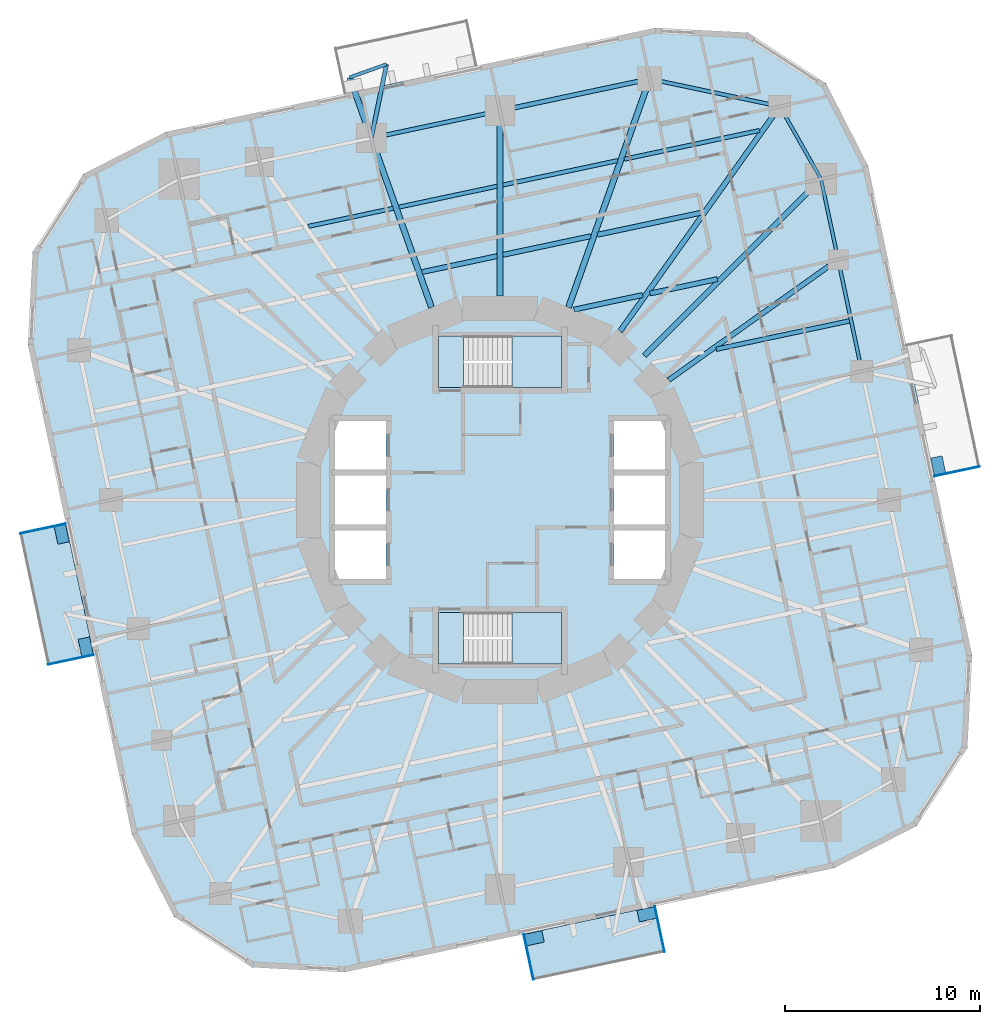
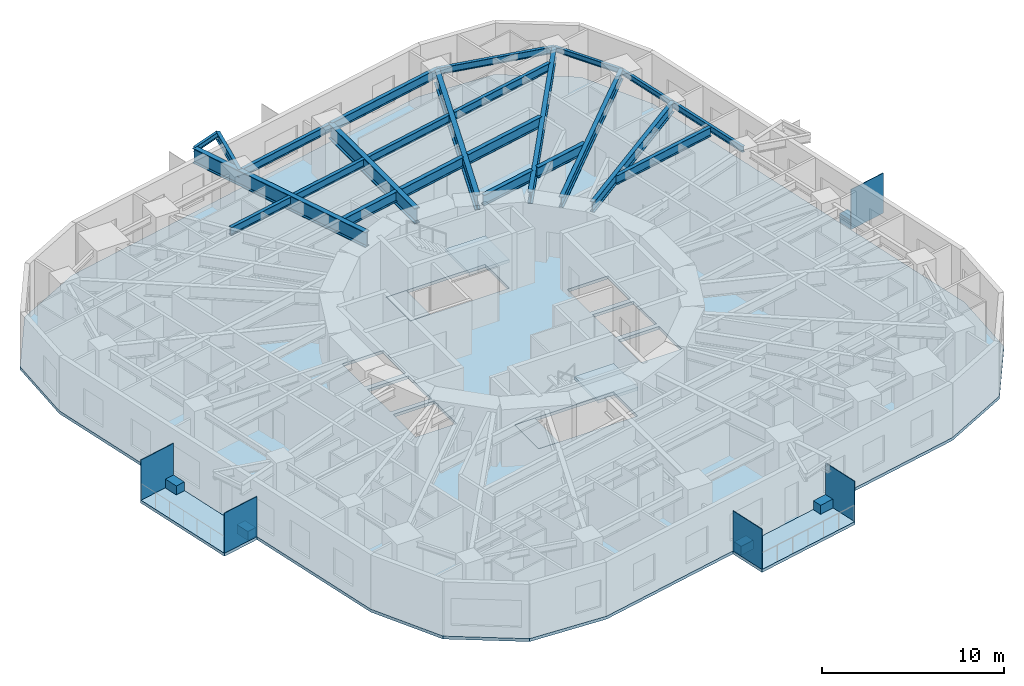
# One storey, part 3 of 14: 24 beams, 10 plates, 7 slabs, 2 elements without a shape of their own.
"""IFC4 building model written with IfcOpenShell, lengths in metres."""

from ifc_helpers import new_model, si_unit, direction, frame, origin, origin_2d, place, context, subcontext, project, spatial, polyline, rectangle, i_section, outline, extrude, material, layer, layer_set, material_profile, profile_set, type_object, element, aggregate, save


model = new_model("IFC4")

# Units and contexts
model_context = context("Model", 3, precision=1e-05, world=origin(), true_north=direction((0.0, 1.0)))
body_context = subcontext(model_context, "Body", "Model", "MODEL_VIEW")
ifc_project = project(units=[si_unit("LENGTHUNIT", "METRE"), si_unit("AREAUNIT", "SQUARE_METRE"), si_unit("VOLUMEUNIT", "CUBIC_METRE"), si_unit("PLANEANGLEUNIT", "RADIAN"), si_unit("MASSUNIT", "GRAM", prefix="KILO")], contexts=[model_context])

# Site, building, storey
site_placement = place(None, origin())
site = spatial("IfcSite", under=ifc_project, at=site_placement, CompositionType="ELEMENT")
building_placement = place(site_placement, origin())
building = spatial("IfcBuilding", under=site, at=building_placement, Name="Nakasero Lantern House", CompositionType="ELEMENT")
storey_placement = place(building_placement, frame((0.0, 0.0, 124.25)))
storey = spatial("IfcBuildingStorey", under=building, at=storey_placement, Name="L30", CompositionType="ELEMENT", Elevation=124.25)

# Beams
ifc_material_1 = material(Name="Steel S355", Category="steel")
ifc_material_profile_1 = material_profile(ifc_material_1, i_section(OverallWidth=0.2138671875, OverallDepth=0.549072265625, WebThickness=0.0146484375, FlangeThickness=0.023681640625, FilletRadius=0.0126953125, at=origin_2d()), Name="UB 533x210x138")
ifc_profile_set_1 = profile_set([ifc_material_profile_1], Name="Steel S355")
beam_type_1 = type_object("IfcBeamType", Name="Balcony splay beam UB 533x210x138", PredefinedType="BEAM", material=ifc_profile_set_1)
beam_1_placement = place(storey_placement, frame((-6.590087890625, 18.534912109375, 3.37548828125), z_axis=(0.201831438605, 0.979420272605, 0.0), x_axis=(-0.979420272605, 0.201831438605, 0.0)))
element("IfcBeam", 1, at=beam_1_placement, inside=storey, type_object=beam_type_1, Name="Balcony splay beam L31 B3-C10A", PredefinedType="BEAM", context=body_context, shape_type="SweptSolid", body=[
    extrude(i_section(OverallWidth=0.2138671875, OverallDepth=0.549072265625, WebThickness=0.0146484375, FlangeThickness=0.023681640625, FilletRadius=0.0126953125, at=origin_2d()), origin(), (0.0, 0.0, 1.0), 3.858642578125),
])
ifc_material_2 = material(Name="Steel S355", Category="steel")
ifc_material_profile_2 = material_profile(ifc_material_2, i_section(OverallWidth=0.17138671875, OverallDepth=0.35498046875, WebThickness=0.00732421875, FlangeThickness=0.011474609375, FilletRadius=0.01025390625, at=origin_2d()), Name="UB 356x171x51")
ifc_profile_set_2 = profile_set([ifc_material_profile_2], Name="Steel S355")
beam_type_2 = type_object("IfcBeamType", Name="Balcony tie beam UB 356x171x51", PredefinedType="BEAM", material=ifc_profile_set_2)
beam_2_placement = place(storey_placement, frame((-5.811279296875, 22.314208984375, 3.472412109375), z_axis=(-0.942196708721, -0.335060236487, 0.0), x_axis=(0.335060236487, -0.942196708721, 0.0)))
element("IfcBeam", 2, at=beam_2_placement, inside=storey, type_object=beam_type_2, Name="Balcony tie beam L31 B3-C10", PredefinedType="BEAM", context=body_context, shape_type="SweptSolid", body=[
    extrude(i_section(OverallWidth=0.17138671875, OverallDepth=0.35498046875, WebThickness=0.00732421875, FlangeThickness=0.011474609375, FilletRadius=0.01025390625, at=origin_2d()), origin(), (0.0, 0.0, 1.0), 2.000244140625),
])
ifc_material_3 = material(Name="Steel S355", Category="steel")
ifc_material_profile_3 = material_profile(ifc_material_3, i_section(OverallWidth=0.2099609375, OverallDepth=0.53662109375, WebThickness=0.0107421875, FlangeThickness=0.017333984375, FilletRadius=0.0126953125, at=origin_2d()), Name="UB 533x210x101")
ifc_profile_set_3 = profile_set([ifc_material_profile_3], Name="Steel S355")
beam_type_3 = type_object("IfcBeamType", Name="Infill beam UB 533x210x101", PredefinedType="JOIST", material=ifc_profile_set_3)
beam_3_placement = place(storey_placement, frame((-9.810302734375, 14.0166015625, 3.381591796875), z_axis=(0.978149057111, 0.207904838982, 0.0), x_axis=(-0.207904838982, 0.978149057111, 0.0)))
element("IfcBeam", 3, at=beam_3_placement, inside=storey, type_object=beam_type_3, Name="Infill beam L31 12.4", PredefinedType="JOIST", context=body_context, shape_type="SweptSolid", body=[
    extrude(i_section(OverallWidth=0.2099609375, OverallDepth=0.53662109375, WebThickness=0.0107421875, FlangeThickness=0.017333984375, FilletRadius=0.0126953125, at=origin_2d()), origin(), (0.0, 0.0, 1.0), 4.435302734375),
])
beam_4_placement = place(storey_placement, frame((-5.173828125, 15.002197265625, 3.381591796875), z_axis=(0.978153894908, 0.207882076853, 0.0), x_axis=(-0.207882076853, 0.978153894908, 0.0)))
element("IfcBeam", 4, at=beam_4_placement, inside=storey, type_object=beam_type_3, Name="Infill beam L31 12.5", PredefinedType="JOIST", context=body_context, shape_type="SweptSolid", body=[
    extrude(i_section(OverallWidth=0.2099609375, OverallDepth=0.53662109375, WebThickness=0.0107421875, FlangeThickness=0.017333984375, FilletRadius=0.0126953125, at=origin_2d()), origin(), (0.0, 0.0, 1.0), 5.13330078125),
])
beam_5_placement = place(storey_placement, frame((0.152587890625, 16.13427734375, 3.381591796875), z_axis=(0.978149438519, 0.207903044531, 0.0), x_axis=(-0.207903044531, 0.978149438519, 0.0)))
element("IfcBeam", 5, at=beam_5_placement, inside=storey, type_object=beam_type_3, Name="Infill beam L31 12.6", PredefinedType="JOIST", context=body_context, shape_type="SweptSolid", body=[
    extrude(i_section(OverallWidth=0.2099609375, OverallDepth=0.53662109375, WebThickness=0.0107421875, FlangeThickness=0.017333984375, FilletRadius=0.0126953125, at=origin_2d()), origin(), (0.0, 0.0, 1.0), 5.99951171875),
])
beam_6_placement = place(storey_placement, frame((6.365478515625, 17.454833984375, 3.381591796875), z_axis=(0.978149480204, 0.207902848411, 0.0), x_axis=(-0.207902848411, 0.978149480204, 0.0)))
element("IfcBeam", 6, at=beam_6_placement, inside=storey, type_object=beam_type_3, Name="Infill beam L31 12.7", PredefinedType="JOIST", context=body_context, shape_type="SweptSolid", body=[
    extrude(i_section(OverallWidth=0.2099609375, OverallDepth=0.53662109375, WebThickness=0.0107421875, FlangeThickness=0.017333984375, FilletRadius=0.0126953125, at=origin_2d()), origin(), (0.0, 0.0, 1.0), 7.085693359375),
])
ifc_material_4 = material(Name="Steel S355", Category="steel")
ifc_material_profile_4 = material_profile(ifc_material_4, i_section(OverallWidth=0.2275390625, OverallDepth=0.6025390625, WebThickness=0.010498046875, FlangeThickness=0.014892578125, FilletRadius=0.0126953125, at=origin_2d()), Name="UB 610x229x101")
ifc_profile_set_4 = profile_set([ifc_material_profile_4], Name="Steel S355")
beam_type_4 = type_object("IfcBeamType", Name="Infill beam UB 610x229x101", PredefinedType="JOIST", material=ifc_profile_set_4)
beam_7_placement = place(storey_placement, frame((11.077880859375, 7.721923828125, 3.3486328125), z_axis=(0.978143535939, 0.207930813255, 0.0), x_axis=(-0.207930813255, 0.978143535939, 0.0)))
element("IfcBeam", 7, at=beam_7_placement, inside=storey, type_object=beam_type_4, Name="Infill beam L31 09.3", PredefinedType="JOIST", context=body_context, shape_type="SweptSolid", body=[
    extrude(i_section(OverallWidth=0.2275390625, OverallDepth=0.6025390625, WebThickness=0.010498046875, FlangeThickness=0.014892578125, FilletRadius=0.0126953125, at=origin_2d()), origin(), (0.0, 0.0, 1.0), 6.9697265625),
])
ifc_material_5 = material(Name="Steel S355", Category="steel")
ifc_material_profile_5 = material_profile(ifc_material_5, i_section(OverallWidth=0.253662109375, OverallDepth=0.68359375, WebThickness=0.012451171875, FlangeThickness=0.01904296875, FilletRadius=0.01513671875, at=origin_2d()), Name="UB 686x254x140")
ifc_profile_set_5 = profile_set([ifc_material_profile_5], Name="Steel S355")
beam_type_5 = type_object("IfcBeamType", Name="Infill beam UB 686x254x140", PredefinedType="JOIST", material=ifc_profile_set_5)
beam_8_placement = place(storey_placement, frame((-3.990966796875, 11.67529296875, 3.308349609375), z_axis=(0.978145250615, 0.20792274695, 0.0), x_axis=(-0.20792274695, 0.978145250615, 0.0)))
element("IfcBeam", 8, at=beam_8_placement, inside=storey, type_object=beam_type_5, Name="Infill beam L31 11.4", PredefinedType="JOIST", context=body_context, shape_type="SweptSolid", body=[
    extrude(i_section(OverallWidth=0.253662109375, OverallDepth=0.68359375, WebThickness=0.012451171875, FlangeThickness=0.01904296875, FilletRadius=0.01513671875, at=origin_2d()), origin(), (0.0, 0.0, 1.0), 3.924072265625),
])
beam_9_placement = place(storey_placement, frame((0.152587890625, 12.55615234375, 3.308349609375), z_axis=(0.978148041119, 0.207909618957, 0.0), x_axis=(-0.207909618957, 0.978148041119, 0.0)))
element("IfcBeam", 9, at=beam_9_placement, inside=storey, type_object=beam_type_5, Name="Infill beam L31 11.5", PredefinedType="JOIST", context=body_context, shape_type="SweptSolid", body=[
    extrude(i_section(OverallWidth=0.253662109375, OverallDepth=0.68359375, WebThickness=0.012451171875, FlangeThickness=0.01904296875, FilletRadius=0.01513671875, at=origin_2d()), origin(), (0.0, 0.0, 1.0), 4.592529296875),
])
beam_10_placement = place(storey_placement, frame((4.989013671875, 13.584228515625, 3.308349609375), z_axis=(0.978155764637, 0.207873278962, 0.0), x_axis=(-0.207873278962, 0.978155764637, 0.0)))
element("IfcBeam", 10, at=beam_10_placement, inside=storey, type_object=beam_type_5, Name="Infill beam L31 11.6", PredefinedType="JOIST", context=body_context, shape_type="SweptSolid", body=[
    extrude(i_section(OverallWidth=0.253662109375, OverallDepth=0.68359375, WebThickness=0.012451171875, FlangeThickness=0.01904296875, FilletRadius=0.01513671875, at=origin_2d()), origin(), (0.0, 0.0, 1.0), 5.428466796875),
])
ifc_material_6 = material(Name="Steel S355", Category="steel")
ifc_material_profile_6 = material_profile(ifc_material_6, i_section(OverallWidth=0.255859375, OverallDepth=0.69287109375, WebThickness=0.014404296875, FlangeThickness=0.023681640625, FilletRadius=0.01513671875, at=origin_2d()), Name="UB 686x254x170")
ifc_profile_set_6 = profile_set([ifc_material_profile_6], Name="Steel S355")
beam_type_6 = type_object("IfcBeamType", Name="Infill beam UB 686x254x170", PredefinedType="JOIST", material=ifc_profile_set_6)
beam_11_placement = place(storey_placement, frame((3.78759765625, 9.75048828125, 3.303466796875), z_axis=(0.978149176892, 0.207904275439, 0.0), x_axis=(-0.207904275439, 0.978149176892, 0.0)))
element("IfcBeam", 11, at=beam_11_placement, inside=storey, type_object=beam_type_6, Name="Infill beam L31 10.4", PredefinedType="JOIST", context=body_context, shape_type="SweptSolid", body=[
    extrude(i_section(OverallWidth=0.255859375, OverallDepth=0.69287109375, WebThickness=0.014404296875, FlangeThickness=0.023681640625, FilletRadius=0.01513671875, at=origin_2d()), origin(), (0.0, 0.0, 1.0), 3.59228515625),
])
beam_12_placement = place(storey_placement, frame((7.686767578125, 10.579345703125, 3.303466796875), z_axis=(0.97814493323, 0.20792424004, 0.0), x_axis=(-0.20792424004, 0.97814493323, 0.0)))
element("IfcBeam", 12, at=beam_12_placement, inside=storey, type_object=beam_type_6, Name="Infill beam L31 10.5", PredefinedType="JOIST", context=body_context, shape_type="SweptSolid", body=[
    extrude(i_section(OverallWidth=0.255859375, OverallDepth=0.69287109375, WebThickness=0.014404296875, FlangeThickness=0.023681640625, FilletRadius=0.01513671875, at=origin_2d()), origin(), (0.0, 0.0, 1.0), 3.5224609375),
])
ifc_material_7 = material(Name="Steel S355", Category="steel")
ifc_material_profile_7 = material_profile(ifc_material_7, i_section(OverallWidth=0.300048828125, OverallDepth=0.989990234375, WebThickness=0.0166015625, FlangeThickness=0.031005859375, FilletRadius=0.030029296875, at=origin_2d()), Name="UB 1016x305x272")
ifc_profile_set_7 = profile_set([ifc_material_profile_7], Name="Steel S355")
beam_type_7 = type_object("IfcBeamType", Name="Primary beam UB 1016x305x272, span 12 to 15 m", PredefinedType="BEAM", material=ifc_profile_set_7)
beam_13_placement = place(storey_placement, frame((7.667724609375, 21.5654296875, 3.155029296875), z_axis=(-0.335011995103, -0.942213862739, 0.0), x_axis=(0.942213862739, -0.335011995103, 0.0)))
element("IfcBeam", 13, at=beam_13_placement, inside=storey, type_object=beam_type_7, Name="Primary beam L31 B3-C08", PredefinedType="BEAM", context=body_context, shape_type="SweptSolid", body=[
    extrude(i_section(OverallWidth=0.300048828125, OverallDepth=0.989990234375, WebThickness=0.0166015625, FlangeThickness=0.031005859375, FilletRadius=0.030029296875, at=origin_2d()), origin(), (0.0, 0.0, 1.0), 12.41650390625),
])
ifc_material_8 = material(Name="Steel S355", Category="steel")
ifc_material_profile_8 = material_profile(ifc_material_8, i_section(OverallWidth=0.302001953125, OverallDepth=1.008056640625, WebThickness=0.02099609375, FlangeThickness=0.0400390625, FilletRadius=0.030029296875, at=origin_2d()), Name="UB 1016x305x349")
ifc_profile_set_8 = profile_set([ifc_material_profile_8], Name="Steel S355")
beam_type_8 = type_object("IfcBeamType", Name="Primary beam UB 1016x305x349, span 9 to 12 m", PredefinedType="BEAM", material=ifc_profile_set_8)
beam_14_placement = place(storey_placement, frame((-7.69580078125, 21.64404296875, 3.14599609375), z_axis=(0.335020841845, -0.942210717159, 0.0), x_axis=(0.942210717159, 0.335020841845, 0.0)))
element("IfcBeam", 14, at=beam_14_placement, inside=storey, type_object=beam_type_8, Name="Primary beam L31 B3-C10", PredefinedType="BEAM", context=body_context, shape_type="SweptSolid", body=[
    extrude(i_section(OverallWidth=0.302001953125, OverallDepth=1.008056640625, WebThickness=0.02099609375, FlangeThickness=0.0400390625, FilletRadius=0.030029296875, at=origin_2d()), origin(), (0.0, 0.0, 1.0), 12.5),
])
ifc_material_9 = material(Name="Steel S355", Category="steel")
ifc_material_profile_9 = material_profile(ifc_material_9, i_section(OverallWidth=0.305419921875, OverallDepth=1.026123046875, WebThickness=0.02685546875, FlangeThickness=0.049072265625, FilletRadius=0.030029296875, at=origin_2d()), Name="UB 1016x305x437")
ifc_profile_set_9 = profile_set([ifc_material_profile_9], Name="Steel S355")
beam_type_9 = type_object("IfcBeamType", Name="Primary beam UB 1016x305x437, span 9 to 12 m", PredefinedType="BEAM", material=ifc_profile_set_9)
beam_15_placement = place(storey_placement, frame((0.0, 19.935546875, 3.136962890625), z_axis=(0.0, -1.0, 0.0), x_axis=(1.0, 0.0, 0.0)))
element("IfcBeam", 15, at=beam_15_placement, inside=storey, type_object=beam_type_9, Name="Primary beam L31 B3-C09", PredefinedType="BEAM", context=body_context, shape_type="SweptSolid", body=[
    extrude(i_section(OverallWidth=0.305419921875, OverallDepth=1.026123046875, WebThickness=0.02685546875, FlangeThickness=0.049072265625, FilletRadius=0.030029296875, at=origin_2d()), origin(), (0.0, 0.0, 1.0), 9.477783203125),
])
ifc_material_10 = material(Name="Steel S355", Category="steel")
ifc_material_profile_10 = material_profile(ifc_material_10, i_section(OverallWidth=0.253662109375, OverallDepth=0.68359375, WebThickness=0.012451171875, FlangeThickness=0.01904296875, FilletRadius=0.01513671875, at=origin_2d()), Name="UB 686x254x140")
ifc_profile_set_10 = profile_set([ifc_material_profile_10], Name="Steel S355")
beam_type_10 = type_object("IfcBeamType", Name="Primary beam UB 686x254x140, span 12 to 15 m", PredefinedType="BEAM", material=ifc_profile_set_10)
beam_16_placement = place(storey_placement, frame((16.44091796875, 16.44091796875, 3.308349609375), z_axis=(-0.707106781187, -0.707106781187, 0.0), x_axis=(0.707106781187, -0.707106781187, 0.0)))
element("IfcBeam", 16, at=beam_16_placement, inside=storey, type_object=beam_type_10, Name="Primary beam L31 B3-C06", PredefinedType="BEAM", context=body_context, shape_type="SweptSolid", body=[
    extrude(i_section(OverallWidth=0.253662109375, OverallDepth=0.68359375, WebThickness=0.012451171875, FlangeThickness=0.01904296875, FilletRadius=0.01513671875, at=origin_2d()), origin(), (0.0, 0.0, 1.0), 12.793212890625),
])
ifc_material_11 = material(Name="Steel S355", Category="steel")
ifc_material_profile_11 = material_profile(ifc_material_11, i_section(OverallWidth=0.253662109375, OverallDepth=0.68359375, WebThickness=0.012451171875, FlangeThickness=0.01904296875, FilletRadius=0.01513671875, at=origin_2d()), Name="UB 686x254x140")
ifc_profile_set_11 = profile_set([ifc_material_profile_11], Name="Steel S355")
beam_type_11 = type_object("IfcBeamType", Name="Primary beam UB 686x254x140, span 9 to 12 m", PredefinedType="BEAM", material=ifc_profile_set_11)
beam_17_placement = place(storey_placement, frame((17.318115234375, 12.31494140625, 3.308349609375), z_axis=(-0.814957491022, -0.579520739774, 0.0), x_axis=(0.579520739774, -0.814957491022, 0.0)))
element("IfcBeam", 17, at=beam_17_placement, inside=storey, type_object=beam_type_11, Name="Primary beam L31 B3-C05", PredefinedType="BEAM", context=body_context, shape_type="SweptSolid", body=[
    extrude(i_section(OverallWidth=0.253662109375, OverallDepth=0.68359375, WebThickness=0.012451171875, FlangeThickness=0.01904296875, FilletRadius=0.01513671875, at=origin_2d()), origin(), (0.0, 0.0, 1.0), 10.64453125),
])
ifc_material_12 = material(Name="Steel S355", Category="steel")
ifc_material_profile_12 = material_profile(ifc_material_12, i_section(OverallWidth=0.2666015625, OverallDepth=0.76220703125, WebThickness=0.014404296875, FlangeThickness=0.021484375, FilletRadius=0.0166015625, at=origin_2d()), Name="UB 762x267x173")
ifc_profile_set_12 = profile_set([ifc_material_profile_12], Name="Steel S355")
beam_type_12 = type_object("IfcBeamType", Name="Primary beam UB 762x267x173, span 12 to 15 m", PredefinedType="BEAM", material=ifc_profile_set_12)
beam_18_placement = place(storey_placement, frame((14.33349609375, 20.15625, 3.268798828125), z_axis=(-0.57953679421, -0.814946074386, 0.0), x_axis=(0.814946074386, -0.57953679421, 0.0)))
element("IfcBeam", 18, at=beam_18_placement, inside=storey, type_object=beam_type_12, Name="Primary beam L31 B3-C07", PredefinedType="BEAM", context=body_context, shape_type="SweptSolid", body=[
    extrude(i_section(OverallWidth=0.2666015625, OverallDepth=0.76220703125, WebThickness=0.014404296875, FlangeThickness=0.021484375, FilletRadius=0.0166015625, at=origin_2d()), origin(), (0.0, 0.0, 1.0), 14.127197265625),
])
ifc_material_13 = material(Name="Steel S355", Category="steel")
ifc_material_profile_13 = material_profile(ifc_material_13, i_section(OverallWidth=0.17138671875, OverallDepth=0.35498046875, WebThickness=0.00732421875, FlangeThickness=0.011474609375, FilletRadius=0.01025390625, at=origin_2d()), Name="UB 356x171x51")
ifc_profile_set_13 = profile_set([ifc_material_profile_13], Name="Steel S355")
beam_type_13 = type_object("IfcBeamType", Name="Ring beam UB 356x171x51", PredefinedType="BEAM", material=ifc_profile_set_13)
beam_19_placement = place(storey_placement, frame((17.318115234375, 12.31494140625, 3.472412109375), z_axis=(-0.207955665195, 0.978138252658, 0.0), x_axis=(-0.978138252658, -0.207955665195, 0.0)))
element("IfcBeam", 19, at=beam_19_placement, inside=storey, type_object=beam_type_13, Name="Ring beam L31 B3-C05", PredefinedType="BEAM", context=body_context, shape_type="SweptSolid", body=[
    extrude(i_section(OverallWidth=0.17138671875, OverallDepth=0.35498046875, WebThickness=0.00732421875, FlangeThickness=0.011474609375, FilletRadius=0.01025390625, at=origin_2d()), origin(), (0.0, 0.0, 1.0), 4.21826171875),
])
beam_20_placement = place(storey_placement, frame((16.44091796875, 16.44091796875, 3.472412109375), z_axis=(-0.493378832737, 0.869814536213, 0.0), x_axis=(-0.869814536213, -0.493378832737, 0.0)))
element("IfcBeam", 20, at=beam_20_placement, inside=storey, type_object=beam_type_13, Name="Ring beam L31 B3-C06", PredefinedType="BEAM", context=body_context, shape_type="SweptSolid", body=[
    extrude(i_section(OverallWidth=0.17138671875, OverallDepth=0.35498046875, WebThickness=0.00732421875, FlangeThickness=0.011474609375, FilletRadius=0.01025390625, at=origin_2d()), origin(), (0.0, 0.0, 1.0), 4.271484375),
])
ifc_material_14 = material(Name="Steel S355", Category="steel")
ifc_material_profile_14 = material_profile(ifc_material_14, i_section(OverallWidth=0.177978515625, OverallDepth=0.406494140625, WebThickness=0.0078125, FlangeThickness=0.0126953125, FilletRadius=0.01025390625, at=origin_2d()), Name="UB 406x178x60")
ifc_profile_set_14 = profile_set([ifc_material_profile_14], Name="Steel S355")
beam_type_14 = type_object("IfcBeamType", Name="Ring beam UB 406x178x60", PredefinedType="BEAM", material=ifc_profile_set_14)
beam_21_placement = place(storey_placement, frame((18.534912109375, 6.590087890625, 3.44677734375), z_axis=(-0.207902159541, 0.978149626621, 0.0), x_axis=(-0.978149626621, -0.207902159541, 0.0)))
element("IfcBeam", 21, at=beam_21_placement, inside=storey, type_object=beam_type_14, Name="Ring beam L31 B3-C04", PredefinedType="BEAM", context=body_context, shape_type="SweptSolid", body=[
    extrude(i_section(OverallWidth=0.177978515625, OverallDepth=0.406494140625, WebThickness=0.0078125, FlangeThickness=0.0126953125, FilletRadius=0.01025390625, at=origin_2d()), origin(), (0.0, 0.0, 1.0), 5.852783203125),
])
ifc_material_15 = material(Name="Steel S355", Category="steel")
ifc_material_profile_15 = material_profile(ifc_material_15, i_section(OverallWidth=0.18994140625, OverallDepth=0.453369140625, WebThickness=0.008544921875, FlangeThickness=0.0126953125, FilletRadius=0.01025390625, at=origin_2d()), Name="UB 457x191x67")
ifc_profile_set_15 = profile_set([ifc_material_profile_15], Name="Steel S355")
beam_type_15 = type_object("IfcBeamType", Name="Ring beam UB 457x191x67", PredefinedType="BEAM", material=ifc_profile_set_15)
beam_22_placement = place(storey_placement, frame((14.33349609375, 20.15625, 3.42333984375), z_axis=(-0.978376066473, 0.206833925052, 0.0), x_axis=(-0.206833925052, -0.978376066473, 0.0)))
element("IfcBeam", 22, at=beam_22_placement, inside=storey, type_object=beam_type_15, Name="Ring beam L31 B3-C07", PredefinedType="BEAM", context=body_context, shape_type="SweptSolid", body=[
    extrude(i_section(OverallWidth=0.18994140625, OverallDepth=0.453369140625, WebThickness=0.008544921875, FlangeThickness=0.0126953125, FilletRadius=0.01025390625, at=origin_2d()), origin(), (0.0, 0.0, 1.0), 6.81298828125),
])
ifc_material_16 = material(Name="Steel S355", Category="steel")
ifc_material_profile_16 = material_profile(ifc_material_16, i_section(OverallWidth=0.2099609375, OverallDepth=0.53662109375, WebThickness=0.0107421875, FlangeThickness=0.017333984375, FilletRadius=0.0126953125, at=origin_2d()), Name="UB 533x210x101")
ifc_profile_set_16 = profile_set([ifc_material_profile_16], Name="Steel S355")
beam_type_16 = type_object("IfcBeamType", Name="Ring beam UB 533x210x101", PredefinedType="BEAM", material=ifc_profile_set_16)
beam_23_placement = place(storey_placement, frame((0.0, 19.935546875, 3.381591796875), z_axis=(-0.978151574702, -0.20789299389, 0.0), x_axis=(0.20789299389, -0.978151574702, 0.0)))
element("IfcBeam", 23, at=beam_23_placement, inside=storey, type_object=beam_type_16, Name="Ring beam L31 B3-C09", PredefinedType="BEAM", context=body_context, shape_type="SweptSolid", body=[
    extrude(i_section(OverallWidth=0.2099609375, OverallDepth=0.53662109375, WebThickness=0.0107421875, FlangeThickness=0.017333984375, FilletRadius=0.0126953125, at=origin_2d()), origin(), (0.0, 0.0, 1.0), 6.7373046875),
])
ifc_material_17 = material(Name="Steel S355", Category="steel")
ifc_material_profile_17 = material_profile(ifc_material_17, i_section(OverallWidth=0.22900390625, OverallDepth=0.6123046875, WebThickness=0.011962890625, FlangeThickness=0.01953125, FilletRadius=0.0126953125, at=origin_2d()), Name="UB 610x229x125")
ifc_profile_set_17 = profile_set([ifc_material_profile_17], Name="Steel S355")
beam_type_17 = type_object("IfcBeamType", Name="Ring beam UB 610x229x125", PredefinedType="BEAM", material=ifc_profile_set_17)
beam_24_placement = place(storey_placement, frame((7.667724609375, 21.5654296875, 3.343994140625), z_axis=(-0.978146105516, -0.207918725139, 0.0), x_axis=(0.207918725139, -0.978146105516, 0.0)))
element("IfcBeam", 24, at=beam_24_placement, inside=storey, type_object=beam_type_17, Name="Ring beam L31 B3-C08", PredefinedType="BEAM", context=body_context, shape_type="SweptSolid", body=[
    extrude(i_section(OverallWidth=0.22900390625, OverallDepth=0.6123046875, WebThickness=0.011962890625, FlangeThickness=0.01953125, FilletRadius=0.0126953125, at=origin_2d()), origin(), (0.0, 0.0, 1.0), 7.839111328125),
])

# Plates
ifc_material_18 = material(Name="Aluminium 6063-T6", Category="aluminium")
ifc_layer_1 = layer(ifc_material_18, 0.60009765625)
ifc_layer_set_1 = layer_set([ifc_layer_1], Name="Balcony planter 600x900")
plate_type_1 = type_object("IfcPlateType", Name="Balcony planter 600x900", PredefinedType="USERDEFINED", material=ifc_layer_set_1)
for number, where, z_axis, x_axis, name in (
    (25, (22.443603515625, 1.764892578125, 0.0), (0.0, 0.0, 1.0), (0.978147600734, 0.207911690818, 0.0), "Balcony PLANTER L30 BAL0A"),
    (26, (-22.443603515625, -1.764892578125, 0.0), (0.0, 0.0, 1.0), (-0.978147600734, -0.207911690818, 0.0), "Balcony PLANTER L30 BAL2A"),
    (27, (-21.220947265625, -7.516357421875, 0.0), (0.0, 0.0, 1.0), (-0.978147600734, -0.207911690818, 0.0), "Balcony PLANTER L30 BAL2B"),
    (28, (1.764892578125, -22.443603515625, 0.0), (0.0, 0.0, 1.0), (0.207911690818, -0.978147600734, 0.0), "Balcony PLANTER L30 BAL3A"),
    (29, (7.516357421875, -21.220947265625, 0.0), (0.0, 0.0, 1.0), (0.207911690818, -0.978147600734, 0.0), "Balcony PLANTER L30 BAL3B"),
):
    element("IfcPlate", number, at=place(storey_placement, frame(where, z_axis=z_axis, x_axis=x_axis)), inside=storey, type_object=plate_type_1, Name=name, ObjectType="PLANTER", PredefinedType="USERDEFINED", context=body_context, shape_type="SweptSolid", body=[
        extrude(rectangle(XDim=0.60009765625, YDim=0.89990234375, at=origin_2d()), origin(), (0.0, 0.0, 1.0), 0.60009765625),
    ])
ifc_material_19 = material(Name="Aluminium 6063-T6", Category="aluminium")
ifc_layer_2 = layer(ifc_material_19, 0.0400390625)
ifc_layer_set_2 = layer_set([ifc_layer_2], Name="Balcony screen 2400x2700")
plate_type_2 = type_object("IfcPlateType", Name="Balcony screen 2400x2700", PredefinedType="SHEET", material=ifc_layer_set_2)
for number, where, z_axis, x_axis, name in (
    (30, (23.40625, 1.468505859375, 0.0), (0.0, 0.0, 1.0), (0.978147600734, 0.207911690818, 0.0), "Balcony SCREEN L30 BAL0A"),
    (31, (-23.40625, -1.468505859375, 0.0), (0.0, 0.0, 1.0), (-0.978147600734, -0.207911690818, 0.0), "Balcony SCREEN L30 BAL2A"),
    (32, (-21.97998046875, -8.1787109375, 0.0), (0.0, 0.0, 1.0), (-0.978147600734, -0.207911690818, 0.0), "Balcony SCREEN L30 BAL2B"),
    (33, (1.468505859375, -23.40625, 0.0), (0.0, 0.0, 1.0), (0.207911690818, -0.978147600734, 0.0), "Balcony SCREEN L30 BAL3A"),
    (34, (8.1787109375, -21.97998046875, 0.0), (0.0, 0.0, 1.0), (0.207911690818, -0.978147600734, 0.0), "Balcony SCREEN L30 BAL3B"),
):
    element("IfcPlate", number, at=place(storey_placement, frame(where, z_axis=z_axis, x_axis=x_axis)), inside=storey, type_object=plate_type_2, Name=name, PredefinedType="SHEET", context=body_context, shape_type="SweptSolid", body=[
        extrude(rectangle(XDim=2.39990234375, YDim=0.0400390625, at=origin_2d()), origin(), (0.0, 0.0, 1.0), 2.699951171875),
    ])

# Slabs
ifc_material_20 = material(Name="Concrete C35/45", Category="concrete")
ifc_layer_3 = layer(ifc_material_20, 0.199951171875)
ifc_layer_set_3 = layer_set([ifc_layer_3], Name="Balcony slab 200")
slab_type_1 = type_object("IfcSlabType", Name="Balcony slab 200", PredefinedType="USERDEFINED", material=ifc_layer_set_3)
slab_1_placement = place(storey_placement, frame((0.0, 0.0, -0.199951171875)))
element("IfcSlab", 35, at=slab_1_placement, inside=storey, type_object=slab_type_1, Name="Balcony L30 BAL2", ObjectType="BALCONY", PredefinedType="USERDEFINED", context=body_context, shape_type="SweptSolid", body=[
    extrude(outline(polyline([(-22.236572265625, -1.199462890625), (-24.583984375, -1.698486328125), (-23.1494140625, -8.44775390625), (-20.802001953125, -7.94873046875), (-22.236572265625, -1.199462890625)])), origin(), (0.0, 0.0, 1.0), 0.199951171875),
])
slab_2_placement = place(storey_placement, frame((0.0, 0.0, -0.199951171875)))
element("IfcSlab", 36, at=slab_2_placement, inside=storey, type_object=slab_type_1, Name="Balcony L30 BAL3", ObjectType="BALCONY", PredefinedType="USERDEFINED", context=body_context, shape_type="SweptSolid", body=[
    extrude(outline(polyline([(1.199462890625, -22.236572265625), (1.698486328125, -24.583984375), (8.44775390625, -23.1494140625), (7.94873046875, -20.802001953125), (1.199462890625, -22.236572265625)])), origin(), (0.0, 0.0, 1.0), 0.199951171875),
])
ifc_material_21 = material(Name="Concrete C35/45", Category="concrete")
ifc_layer_4 = layer(ifc_material_21, 0.199951171875)
ifc_layer_set_4 = layer_set([ifc_layer_4], Name="Composite floor slab 200")
slab_type_2 = type_object("IfcSlabType", Name="Composite floor slab 200", PredefinedType="FLOOR", material=ifc_layer_set_4)
slab_3_placement = place(storey_placement, frame((0.0, 0.0, -0.199951171875)))
element("IfcSlab", 37, at=slab_3_placement, inside=storey, type_object=slab_type_2, Name="Floor slab L30", PredefinedType="FLOOR", context=body_context, shape_type="SweptSolid", body=[
    extrude(outline(polyline([(18.85791015625, 17.09423828125), (16.696044921875, 21.337646484375), (12.701904296875, 23.931396484375), (7.9462890625, 24.180419921875), (-17.09423828125, 18.85791015625), (-21.337646484375, 16.696044921875), (-23.931396484375, 12.701904296875), (-24.180419921875, 7.9462890625), (-18.85791015625, -17.09423828125), (-16.696044921875, -21.337646484375), (-12.701904296875, -23.931396484375), (-7.9462890625, -24.180419921875), (17.09423828125, -18.85791015625), (21.337646484375, -16.696044921875), (23.931396484375, -12.701904296875), (24.180419921875, -7.9462890625), (18.85791015625, 17.09423828125)]), holes=[polyline([(-8.449951171875, -4.050048828125), (-5.85009765625, -4.050048828125), (-5.85009765625, -1.550048828125), (-8.449951171875, -1.550048828125), (-8.449951171875, -4.050048828125)]), polyline([(-8.449951171875, -1.25), (-5.85009765625, -1.25), (-5.85009765625, 1.25), (-8.449951171875, 1.25), (-8.449951171875, -1.25)]), polyline([(-8.449951171875, 1.550048828125), (-5.85009765625, 1.550048828125), (-5.85009765625, 4.050048828125), (-8.449951171875, 4.050048828125), (-8.449951171875, 1.550048828125)]), polyline([(5.85009765625, -4.050048828125), (8.449951171875, -4.050048828125), (8.449951171875, -1.550048828125), (5.85009765625, -1.550048828125), (5.85009765625, -4.050048828125)]), polyline([(5.85009765625, -1.25), (8.449951171875, -1.25), (8.449951171875, 1.25), (5.85009765625, 1.25), (5.85009765625, -1.25)]), polyline([(5.85009765625, 1.550048828125), (8.449951171875, 1.550048828125), (8.449951171875, 4.050048828125), (5.85009765625, 4.050048828125), (5.85009765625, 1.550048828125)]), polyline([(-3.14990234375, 5.75), (3.14990234375, 5.75), (3.14990234375, 8.39990234375), (-3.14990234375, 8.39990234375), (-3.14990234375, 5.75)]), polyline([(-3.14990234375, -8.39990234375), (3.14990234375, -8.39990234375), (3.14990234375, -5.75), (-3.14990234375, -5.75), (-3.14990234375, -8.39990234375)])]), origin(), (0.0, 0.0, 1.0), 0.199951171875),
])

# Stair, slabs
ifc_material_22 = material(Name="Concrete C40/50", Category="concrete")
stair_type_1 = type_object("IfcStairType", Name="Escape stair ST1 22 risers", PredefinedType="HALF_TURN_STAIR", material=ifc_material_22)
stair_1_placement = place(storey_placement, origin())
stair_1 = element("IfcStair", 38, at=stair_1_placement, inside=storey, type_object=stair_type_1, Name="Escape stair ST1 L30", PredefinedType="HALF_TURN_STAIR")
ifc_material_23 = material(Name="Concrete C40/50", Category="concrete")
ifc_layer_5 = layer(ifc_material_23, 0.199951171875)
ifc_layer_set_5 = layer_set([ifc_layer_5], Name="Stair landing 200")
slab_type_3 = type_object("IfcSlabType", Name="Stair landing 200", PredefinedType="LANDING", material=ifc_layer_set_5)
slab_4_placement = place(storey_placement, frame((0.0, 0.0, -0.199951171875)))
slab_4 = element("IfcSlab", 39, at=slab_4_placement, type_object=slab_type_3, Name="ST1 landing 1", PredefinedType="LANDING", context=body_context, shape_type="SweptSolid", body=[
    extrude(outline(polyline([(-3.14990234375, 5.75), (-1.875, 5.75), (-1.875, 8.39990234375), (-3.14990234375, 8.39990234375), (-3.14990234375, 5.75)])), origin(), (0.0, 0.0, 1.0), 0.199951171875),
])
slab_5_placement = place(storey_placement, frame((0.0, 0.0, 1.72509765625)))
slab_5 = element("IfcSlab", 40, at=slab_5_placement, type_object=slab_type_3, Name="ST1 landing 2", PredefinedType="LANDING", context=body_context, shape_type="SweptSolid", body=[
    extrude(outline(polyline([(0.625, 5.75), (3.14990234375, 5.75), (3.14990234375, 8.39990234375), (0.625, 8.39990234375), (0.625, 5.75)])), origin(), (0.0, 0.0, 1.0), 0.199951171875),
])
aggregate(stair_1, [slab_4, slab_5])

ifc_material_24 = material(Name="Concrete C40/50", Category="concrete")
stair_type_2 = type_object("IfcStairType", Name="Escape stair ST2 22 risers", PredefinedType="HALF_TURN_STAIR", material=ifc_material_24)
stair_2_placement = place(storey_placement, origin())
stair_2 = element("IfcStair", 41, at=stair_2_placement, inside=storey, type_object=stair_type_2, Name="Escape stair ST2 L30", PredefinedType="HALF_TURN_STAIR")
slab_6_placement = place(storey_placement, frame((0.0, 0.0, -0.199951171875)))
slab_6 = element("IfcSlab", 42, at=slab_6_placement, type_object=slab_type_3, Name="ST2 landing 1", PredefinedType="LANDING", context=body_context, shape_type="SweptSolid", body=[
    extrude(outline(polyline([(-3.14990234375, -8.39990234375), (-1.875, -8.39990234375), (-1.875, -5.75), (-3.14990234375, -5.75), (-3.14990234375, -8.39990234375)])), origin(), (0.0, 0.0, 1.0), 0.199951171875),
])
slab_7_placement = place(storey_placement, frame((0.0, 0.0, 1.72509765625)))
slab_7 = element("IfcSlab", 43, at=slab_7_placement, type_object=slab_type_3, Name="ST2 landing 2", PredefinedType="LANDING", context=body_context, shape_type="SweptSolid", body=[
    extrude(outline(polyline([(0.625, -8.39990234375), (3.14990234375, -8.39990234375), (3.14990234375, -5.75), (0.625, -5.75), (0.625, -8.39990234375)])), origin(), (0.0, 0.0, 1.0), 0.199951171875),
])
aggregate(stair_2, [slab_6, slab_7])

save(model, "model.ifc")
